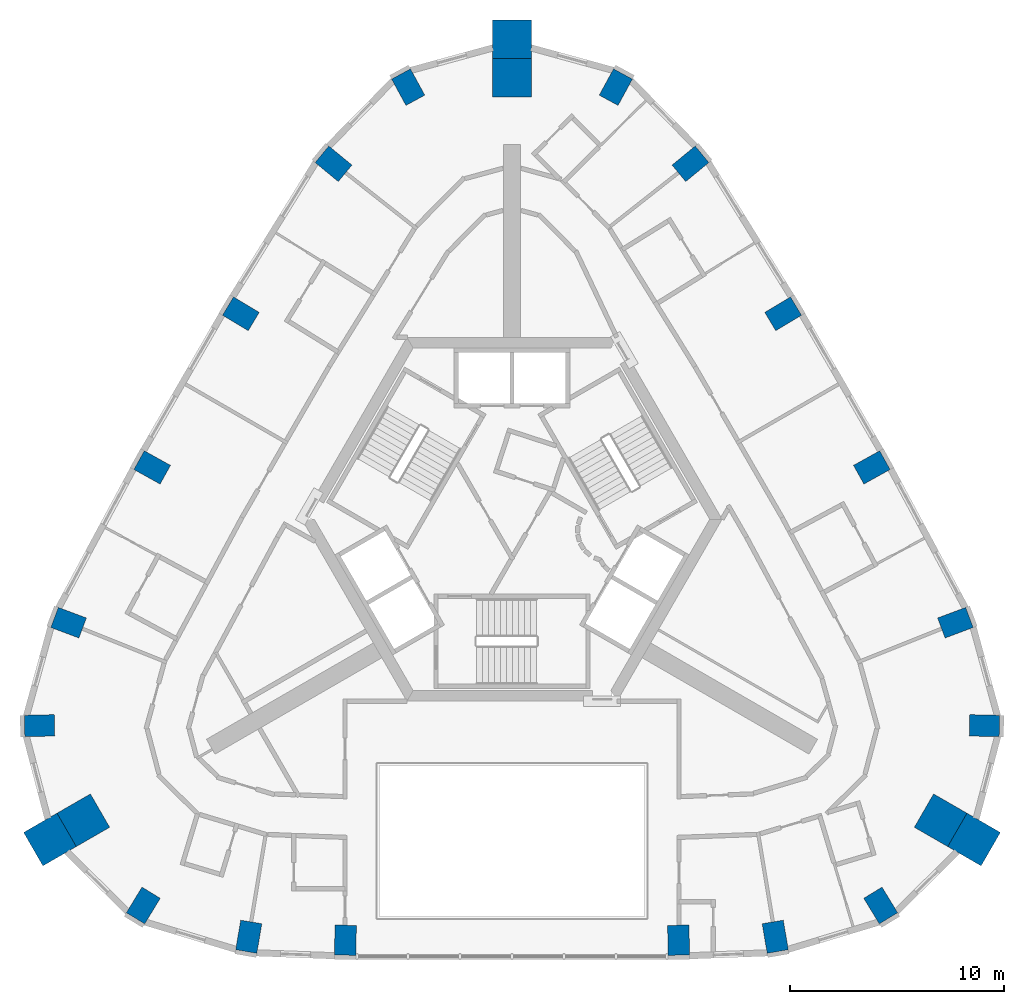
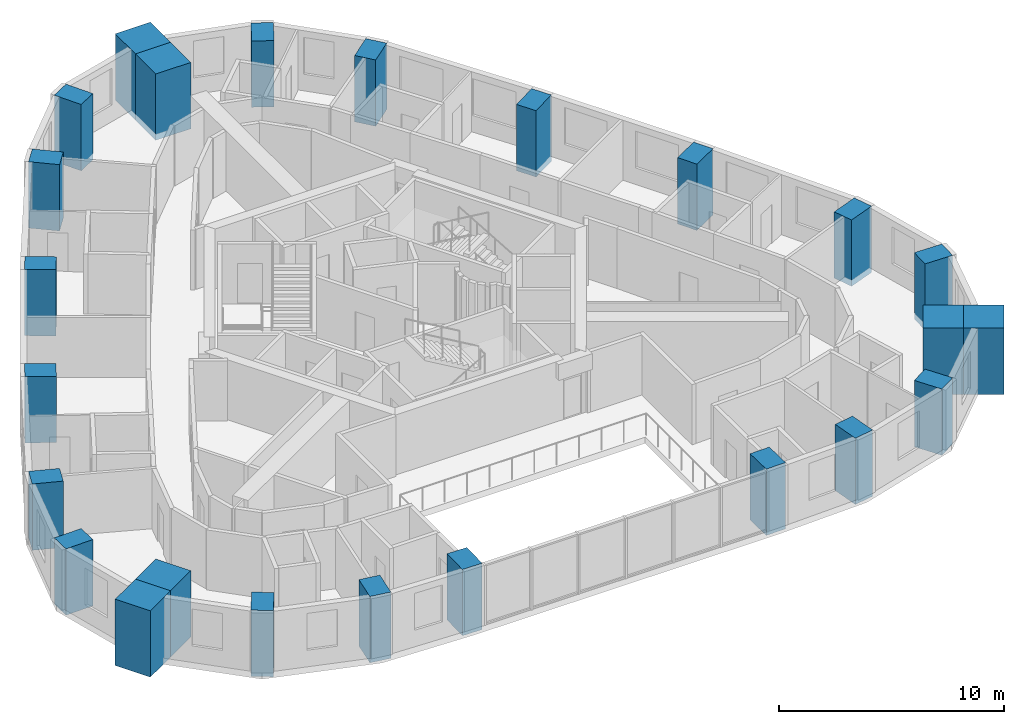
# One storey, part 1 of 10: 24 columns.
"""IFC4 building model written with IfcOpenShell, lengths in metres."""

from ifc_helpers import new_model, si_unit, direction, frame, origin, origin_2d, place, context, subcontext, project, spatial, rectangle, extrude, material, material_profile, profile_set, type_object, element, save


model = new_model("IFC4")

# Units and contexts
model_context = context("Model", 3, precision=1e-05, world=origin(), true_north=direction((0.0, 1.0)))
body_context = subcontext(model_context, "Body", "Model", "MODEL_VIEW")
ifc_project = project(units=[si_unit("LENGTHUNIT", "METRE"), si_unit("AREAUNIT", "SQUARE_METRE"), si_unit("VOLUMEUNIT", "CUBIC_METRE"), si_unit("PLANEANGLEUNIT", "RADIAN"), si_unit("MASSUNIT", "GRAM", prefix="KILO")], contexts=[model_context])

# Site, building, storey
site_placement = place(None, origin())
site = spatial("IfcSite", under=ifc_project, at=site_placement, CompositionType="ELEMENT")
building_placement = place(site_placement, origin())
building = spatial("IfcBuilding", under=site, at=building_placement, Name="Entoto Arch Interchange Tower", CompositionType="ELEMENT")
storey_placement = place(building_placement, frame((0.0, 0.0, 300.800048828125)))
storey = spatial("IfcBuildingStorey", under=building, at=storey_placement, Name="L70", CompositionType="ELEMENT", Elevation=300.800048828125)

# Columns
ifc_material_1 = material(Name="Concrete C40/50", Category="concrete")
ifc_material_profile_1 = material_profile(ifc_material_1, rectangle(XDim=1.0, YDim=1.39990234375, at=origin_2d()))
ifc_profile_set_1 = profile_set([ifc_material_profile_1], Name="Concrete C40/50")
column_type_1 = type_object("IfcColumnType", Name="Column RC 1000x1400 C40/50", PredefinedType="COLUMN", material=ifc_profile_set_1)
for number, where, z_axis, x_axis, name in (
    (1, (-12.297119140625, -17.0029296875, -0.340087890625), (0.0, 0.0, 1.0), (-0.985785690827, 0.168007653877, 0.0), "Column S01 L70"),
    (2, (-7.781982421875, -17.1640625, -0.340087890625), (0.0, 0.0, 1.0), (-0.999805523312, 0.019720942027, 0.0), "Column S02 L70"),
    (3, (7.781982421875, -17.1640625, -0.340087890625), (0.0, 0.0, 1.0), (0.999805523312, 0.019720942027, 0.0), "Column S03 L70"),
    (4, (12.297119140625, -17.0029296875, -0.340087890625), (0.0, 0.0, 1.0), (0.985785690827, 0.168007653877, 0.0), "Column S04 L70"),
    (5, (17.222900390625, -15.5439453125, -0.340087890625), (0.0, 0.0, 1.0), (0.853650808213, 0.520845752251, 0.0), "Column SE1 L70"),
    (6, (22.072021484375, -7.14306640625, -0.340087890625), (0.0, 0.0, 1.0), (0.024257696956, 0.999705738774, 0.0), "Column SE3 L70"),
    (7, (20.714111328125, -2.3330078125, -0.340087890625), (0.0, 0.0, 1.0), (-0.3507141184, 0.93648257173, 0.0), "Column NE01 L70"),
    (8, (16.80908203125, 4.9208984375, -0.340087890625), (0.0, 0.0, 1.0), (-0.48592357098, 0.874001306158, 0.0), "Column NE02 L70"),
    (9, (12.666015625, 12.096923828125, -0.340087890625), (0.0, 0.0, 1.0), (-0.513945548584, 0.857822809845, 0.0), "Column NE03 L70"),
    (10, (8.3369140625, 19.10498046875, -0.340087890625), (0.0, 0.0, 1.0), (-0.635647164629, 0.771979716119, 0.0), "Column NE04 L70"),
    (11, (4.85009765625, 22.68701171875, -0.340087890625), (0.0, 0.0, 1.0), (-0.877899414566, 0.478845087586, 0.0), "Column N1 L70"),
    (12, (-4.85009765625, 22.68701171875, -0.340087890625), (0.0, 0.0, 1.0), (0.877899414566, 0.478845087586, 0.0), "Column N3 L70"),
    (13, (-8.3369140625, 19.10498046875, -0.340087890625), (0.0, 0.0, 1.0), (0.635647164629, 0.771979716119, 0.0), "Column NW01 L70"),
    (14, (-12.666015625, 12.096923828125, -0.340087890625), (0.0, 0.0, 1.0), (0.513945548584, 0.857822809845, 0.0), "Column NW02 L70"),
    (15, (-16.80908203125, 4.9208984375, -0.340087890625), (0.0, 0.0, 1.0), (0.48592357098, 0.874001306158, 0.0), "Column NW03 L70"),
    (16, (-20.714111328125, -2.3330078125, -0.340087890625), (0.0, 0.0, 1.0), (0.3507141184, 0.93648257173, 0.0), "Column NW04 L70"),
    (17, (-22.072021484375, -7.14306640625, -0.340087890625), (0.0, 0.0, 1.0), (-0.024257696956, 0.999705738774, 0.0), "Column SW1 L70"),
    (18, (-17.222900390625, -15.5439453125, -0.340087890625), (0.0, 0.0, 1.0), (-0.853650808213, 0.520845752251, 0.0), "Column SW3 L70"),
):
    element("IfcColumn", number, at=place(storey_placement, frame(where, z_axis=z_axis, x_axis=x_axis)), inside=storey, type_object=column_type_1, Name=name, PredefinedType="COLUMN", context=body_context, shape_type="SweptSolid", body=[
        extrude(rectangle(XDim=1.0, YDim=1.39990234375, at=origin_2d()), origin(), (0.0, 0.0, 1.0), 3.60009765625),
    ])
ifc_material_2 = material(Name="Precast concrete C40/50", Category="concrete")
ifc_material_profile_2 = material_profile(ifc_material_2, rectangle(XDim=1.800048828125, YDim=1.800048828125, at=origin_2d()))
ifc_profile_set_2 = profile_set([ifc_material_profile_2], Name="Precast concrete C40/50")
column_type_2 = type_object("IfcColumnType", Name="Frame post RC 1800x1800 precast C40/50", PredefinedType="COLUMN", material=ifc_profile_set_2)
for number, where, z_axis, x_axis, name in (
    (19, (21.583984375, -12.4609375, -0.340087890625), (0.0, 0.0, 1.0), (-0.866025403784, 0.5, 0.0), "Frame post SE L70"),
    (20, (0.0, 24.923095703125, -0.340087890625), (0.0, 0.0, 1.0), (0.0, 1.0, 0.0), "Frame post N L70"),
    (21, (-21.583984375, -12.4609375, -0.340087890625), (0.0, 0.0, 1.0), (0.866025403784, 0.5, 0.0), "Frame post SW L70"),
):
    element("IfcColumn", number, at=place(storey_placement, frame(where, z_axis=z_axis, x_axis=x_axis)), inside=storey, type_object=column_type_2, Name=name, PredefinedType="COLUMN", context=body_context, shape_type="SweptSolid", body=[
        extrude(rectangle(XDim=1.800048828125, YDim=1.800048828125, at=origin_2d()), origin(), (0.0, 0.0, 1.0), 3.60009765625),
    ])
ifc_material_profile_3 = material_profile(ifc_material_1, rectangle(XDim=1.800048828125, YDim=1.800048828125, at=origin_2d()))
ifc_profile_set_3 = profile_set([ifc_material_profile_3], Name="Concrete C40/50")
column_type_3 = type_object("IfcColumnType", Name="Mega column RC 1800x1800 C40/50", PredefinedType="COLUMN", material=ifc_profile_set_3)
for number, where, z_axis, x_axis, name in (
    (22, (20.02490234375, -11.56103515625, -0.340087890625), (0.0, 0.0, 1.0), (-0.866025403784, 0.5, 0.0), "Corner mega column SE2 L70"),
    (23, (0.0, 23.123046875, -0.340087890625), (0.0, 0.0, 1.0), (0.0, 1.0, 0.0), "Corner mega column N2 L70"),
    (24, (-20.02490234375, -11.56103515625, -0.340087890625), (0.0, 0.0, 1.0), (0.866025403784, 0.5, 0.0), "Corner mega column SW2 L70"),
):
    element("IfcColumn", number, at=place(storey_placement, frame(where, z_axis=z_axis, x_axis=x_axis)), inside=storey, type_object=column_type_3, Name=name, PredefinedType="COLUMN", context=body_context, shape_type="SweptSolid", body=[
        extrude(rectangle(XDim=1.800048828125, YDim=1.800048828125, at=origin_2d()), origin(), (0.0, 0.0, 1.0), 3.60009765625),
    ])

save(model, "model.ifc")
